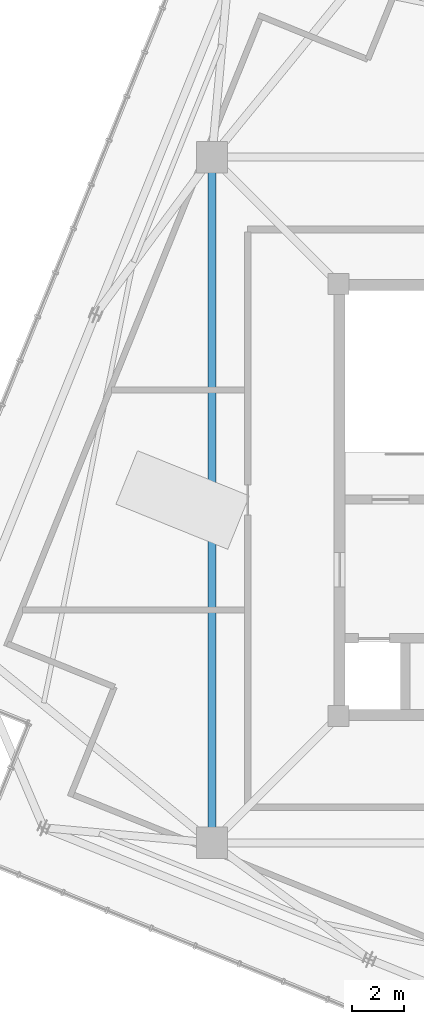
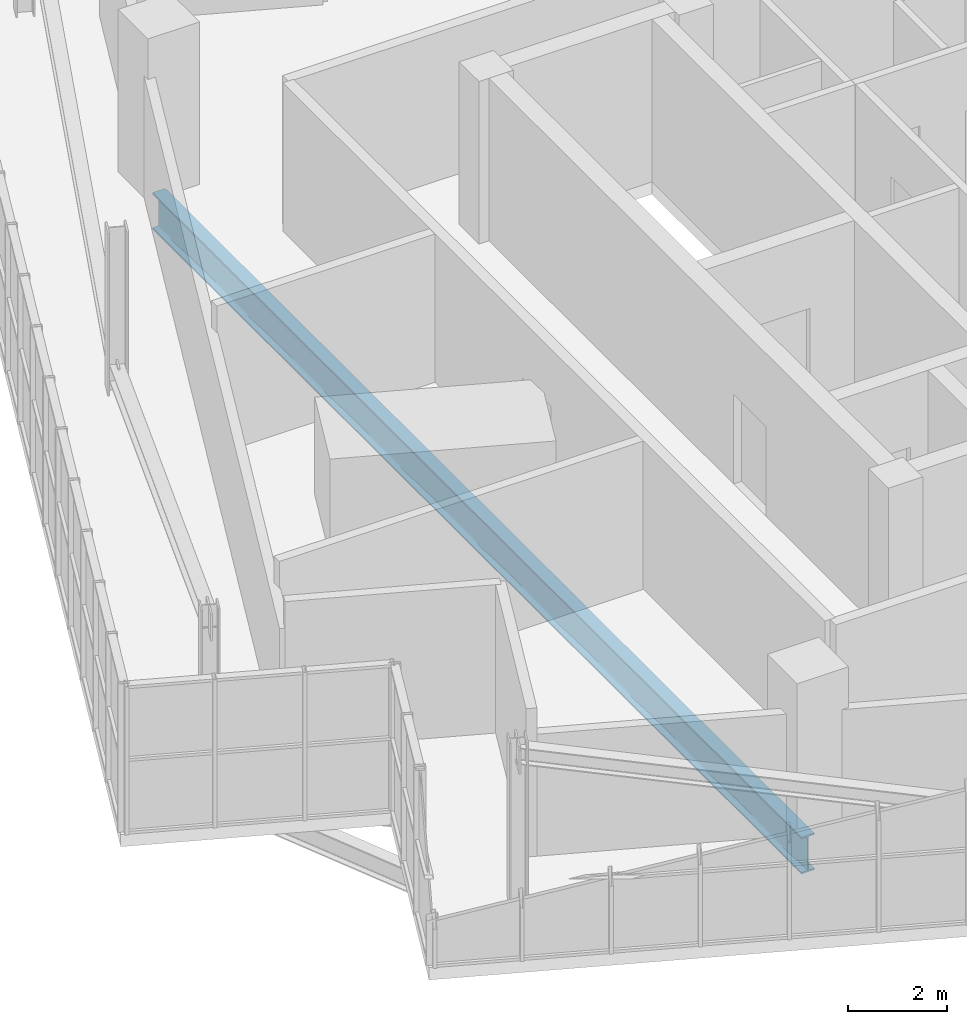
# One storey, part 7 of 26: 1 beam.
"""IFC4 building model written with IfcOpenShell, lengths in metres."""

from ifc_helpers import new_model, si_unit, direction, frame, origin, origin_2d, place, context, subcontext, project, spatial, i_section, extrude, source, transform, mapped, material, material_profile, profile_set, type_object, element, save


model = new_model("IFC4")

# Units and contexts
model_context = context("Model", 3, precision=1e-05, world=origin(), true_north=direction((0.0, 1.0)))
body_context = subcontext(model_context, "Body", "Model", "MODEL_VIEW")
ifc_project = project(units=[si_unit("LENGTHUNIT", "METRE"), si_unit("AREAUNIT", "SQUARE_METRE"), si_unit("VOLUMEUNIT", "CUBIC_METRE"), si_unit("PLANEANGLEUNIT", "RADIAN"), si_unit("MASSUNIT", "GRAM", prefix="KILO"), si_unit("THERMODYNAMICTEMPERATUREUNIT", "KELVIN")], contexts=[model_context])

# Site, building, storey
site_placement = place(None, origin())
site = spatial("IfcSite", under=ifc_project, at=site_placement, CompositionType="ELEMENT")
building_placement = place(site_placement, origin())
building = spatial("IfcBuilding", under=site, at=building_placement, Name="Kosmvard Interchange Tower", CompositionType="ELEMENT")
storey_placement = place(building_placement, frame((0.0, 0.0, 341.60009765625)))
storey = spatial("IfcBuildingStorey", under=building, at=storey_placement, Name="L84", CompositionType="ELEMENT", Elevation=341.60009765625)

# Beam
ifc_material = material(Name="Steel S355", Category="steel")
ifc_material_profile = material_profile(ifc_material, i_section(OverallWidth=0.300048828125, OverallDepth=0.89990234375, WebThickness=0.0185546875, FlangeThickness=0.034912109375, FilletRadius=0.030029296875, at=origin_2d()), Name="HEB 900")
ifc_profile_set = profile_set([ifc_material_profile], Name="Steel S355")
beam_type = type_object("IfcBeamType", Name="Mega-Column Ring Girder HEB 900 S355", PredefinedType="BEAM", material=ifc_profile_set)
shared_shape = source(origin(), body_context, "Body", "SweptSolid", [
    extrude(i_section(OverallWidth=0.300048828125, OverallDepth=0.89990234375, WebThickness=0.0185546875, FlangeThickness=0.034912109375, FilletRadius=0.030029296875, at=origin_2d()), origin(), (0.0, 0.0, 1.0), 26.162109375),
])
beam_placement = place(storey_placement, frame((-13.0810546875, 13.0810546875, -0.75), z_axis=(0.0, -1.0, 0.0), x_axis=(1.0, 0.0, 0.0)))
element("IfcBeam", 1, at=beam_placement, inside=storey, type_object=beam_type, Name="L84 Mega-Column Ring Girder 4", PredefinedType="BEAM", context=body_context, shape_type="MappedRepresentation", body=[
    mapped(shared_shape, transform((0.0, 0.0, 0.0), scale=1.0)),
])

save(model, "model.ifc")
